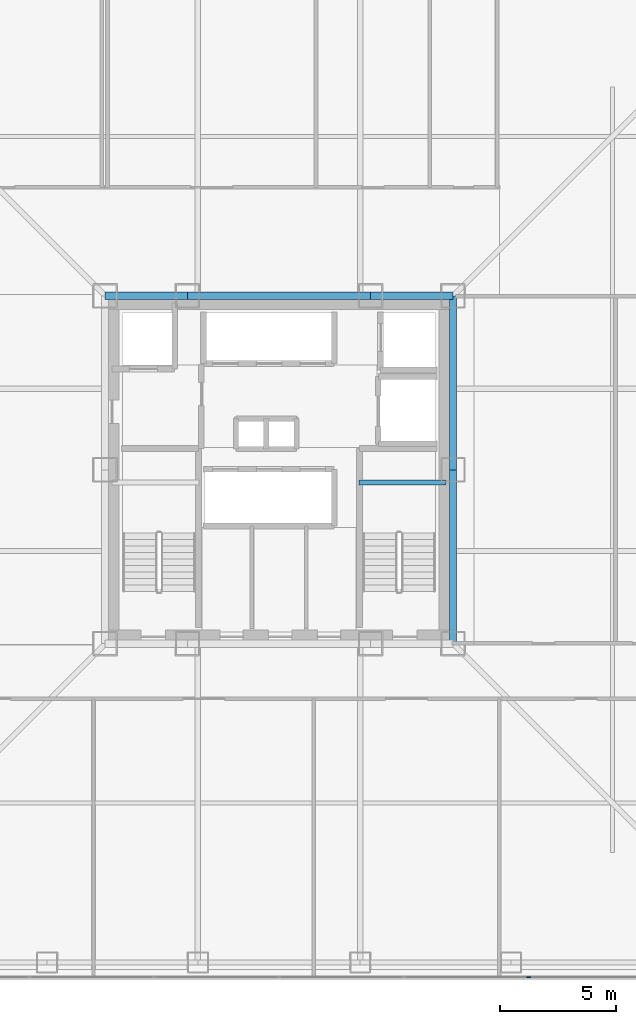
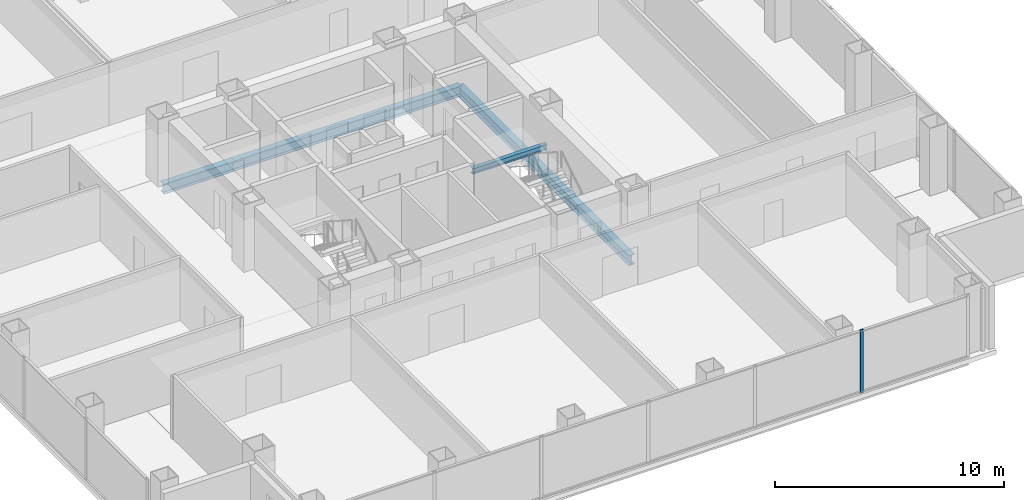
# One storey, part 6 of 17: 6 beams, 1 member, 1 element without a shape of its own.
"""IFC4 building model written with IfcOpenShell, lengths in metres."""

from ifc_helpers import new_model, si_unit, direction, frame, origin, origin_2d, place, context, subcontext, project, spatial, rectangle, i_section, extrude, material, layer, layer_set, material_profile, profile_set, type_object, element, aggregate, save


model = new_model("IFC4")

# Units and contexts
model_context = context("Model", 3, precision=1e-05, world=origin(), true_north=direction((0.0, 1.0)))
body_context = subcontext(model_context, "Body", "Model", "MODEL_VIEW")
ifc_project = project(units=[si_unit("LENGTHUNIT", "METRE"), si_unit("AREAUNIT", "SQUARE_METRE"), si_unit("VOLUMEUNIT", "CUBIC_METRE"), si_unit("PLANEANGLEUNIT", "RADIAN"), si_unit("MASSUNIT", "GRAM", prefix="KILO")], contexts=[model_context])

# Site, building, storey
site_placement = place(None, origin())
site = spatial("IfcSite", under=ifc_project, at=site_placement, CompositionType="ELEMENT")
building_placement = place(site_placement, origin())
building = spatial("IfcBuilding", under=site, at=building_placement, Name="Trevonay Congress Spire", CompositionType="ELEMENT")
storey_placement = place(building_placement, frame((0.0, 0.0, 130.0)))
storey = spatial("IfcBuildingStorey", under=building, at=storey_placement, Name="L33", CompositionType="ELEMENT", Elevation=130.0)

# Beams
ifc_material_1 = material(Name="Steel ASTM A572 Grade 50", Category="steel")
ifc_material_profile_1 = material_profile(ifc_material_1, i_section(OverallWidth=0.31201171875, OverallDepth=0.54296875, WebThickness=0.0126953125, FlangeThickness=0.020263671875, FilletRadius=0.014892578125, at=origin_2d()), Name="W530x150")
ifc_profile_set_1 = profile_set([ifc_material_profile_1], Name="Steel ASTM A572 Grade 50")
beam_type_1 = type_object("IfcBeamType", Name="BM-GIRD-W530X150", PredefinedType="BEAM", material=ifc_profile_set_1)
beam_1_placement = place(storey_placement, frame((-7.5, 7.5, -0.511474609375), z_axis=(1.0, 0.0, 0.0), x_axis=(0.0, 1.0, 0.0)))
element("IfcBeam", 1, at=beam_1_placement, inside=storey, type_object=beam_type_1, Name="L33 structural beam BM-L33-CR-N1", PredefinedType="BEAM", context=body_context, shape_type="SweptSolid", body=[
    extrude(i_section(OverallWidth=0.31201171875, OverallDepth=0.54296875, WebThickness=0.0126953125, FlangeThickness=0.020263671875, FilletRadius=0.014892578125, at=origin_2d()), origin(), (0.0, 0.0, 1.0), 3.550048828125),
])
beam_2_placement = place(storey_placement, frame((-3.949951171875, 7.5, -0.511474609375), z_axis=(1.0, 0.0, 0.0), x_axis=(0.0, 1.0, 0.0)))
element("IfcBeam", 2, at=beam_2_placement, inside=storey, type_object=beam_type_1, Name="L33 structural beam BM-L33-CR-N2", PredefinedType="BEAM", context=body_context, shape_type="SweptSolid", body=[
    extrude(i_section(OverallWidth=0.31201171875, OverallDepth=0.54296875, WebThickness=0.0126953125, FlangeThickness=0.020263671875, FilletRadius=0.014892578125, at=origin_2d()), origin(), (0.0, 0.0, 1.0), 7.89990234375),
])
beam_3_placement = place(storey_placement, frame((3.949951171875, 7.5, -0.511474609375), z_axis=(1.0, 0.0, 0.0), x_axis=(0.0, 1.0, 0.0)))
element("IfcBeam", 3, at=beam_3_placement, inside=storey, type_object=beam_type_1, Name="L33 structural beam BM-L33-CR-N3", PredefinedType="BEAM", context=body_context, shape_type="SweptSolid", body=[
    extrude(i_section(OverallWidth=0.31201171875, OverallDepth=0.54296875, WebThickness=0.0126953125, FlangeThickness=0.020263671875, FilletRadius=0.014892578125, at=origin_2d()), origin(), (0.0, 0.0, 1.0), 3.550048828125),
])
for number, where, z_axis, x_axis, name in (
    (4, (7.5, -7.5, -0.511474609375), (0.0, 1.0, 0.0), (-1.0, 0.0, 0.0), "L33 structural beam BM-L33-CR-E1"),
    (5, (7.5, 0.0, -0.511474609375), (0.0, 1.0, 0.0), (-1.0, 0.0, 0.0), "L33 structural beam BM-L33-CR-E2"),
):
    element("IfcBeam", number, at=place(storey_placement, frame(where, z_axis=z_axis, x_axis=x_axis)), inside=storey, type_object=beam_type_1, Name=name, PredefinedType="BEAM", context=body_context, shape_type="SweptSolid", body=[
        extrude(i_section(OverallWidth=0.31201171875, OverallDepth=0.54296875, WebThickness=0.0126953125, FlangeThickness=0.020263671875, FilletRadius=0.014892578125, at=origin_2d()), origin(), (0.0, 0.0, 1.0), 7.5),
    ])

# Curtain wall, member
ifc_material_2 = material(Name="Pale Anodised Aluminium EN AW-6063-T6", Category="aluminium")
ifc_layer = layer(ifc_material_2, 0.175048828125, Name="Pale Anodised Aluminium EN AW-6063-T6")
ifc_layer_set = layer_set([ifc_layer], Name="Pale Anodised Aluminium EN AW-6063-T6")
curtain_wall_type = type_object("IfcCurtainWallType", Name="CW-SYS03-CONGRESS-PALE-METAL", PredefinedType="NOTDEFINED", material=ifc_layer_set)
curtain_wall_placement = place(storey_placement, origin())
curtain_wall = element("IfcCurtainWall", 6, at=curtain_wall_placement, inside=storey, type_object=curtain_wall_type, Name="L33 S unitised curtain wall", PredefinedType="NOTDEFINED")
ifc_material_profile_2 = material_profile(ifc_material_2, rectangle(XDim=0.06005859375, YDim=0.159912109375, at=origin_2d()), Name="CW-MULLION-160-ALUMINIUM")
ifc_profile_set_2 = profile_set([ifc_material_profile_2], Name="Pale Anodised Aluminium EN AW-6063-T6")
member_type = type_object("IfcMemberType", Name="CW-MULLION-160-ALUMINIUM", PredefinedType="MULLION", material=ifc_profile_set_2)
member_placement = place(storey_placement, frame((10.7666015625, -21.8798828125, 0.0), z_axis=(0.0, 0.0, 1.0), x_axis=(0.0, 1.0, 0.0)))
member = element("IfcMember", 7, at=member_placement, type_object=member_type, Name="CW03 mullion 6", PredefinedType="MULLION", context=body_context, shape_type="SweptSolid", body=[
    extrude(rectangle(XDim=0.06005859375, YDim=0.159912109375, at=origin_2d()), origin(), (0.0, 0.0, 1.0), 3.360107421875),
])
aggregate(curtain_wall, [member])

# Beam
ifc_material_profile_3 = material_profile(ifc_material_1, i_section(OverallWidth=0.2041015625, OverallDepth=0.305908203125, WebThickness=0.008544921875, FlangeThickness=0.0146484375, FilletRadius=0.010986328125, at=origin_2d()), Name="W310x67")
ifc_profile_set_3 = profile_set([ifc_material_profile_3], Name="Steel ASTM A572 Grade 50")
beam_type_2 = type_object("IfcBeamType", Name="LN-CORE-W310X67", PredefinedType="LINTEL", material=ifc_profile_set_3)
beam_4_placement = place(storey_placement, frame((3.449951171875, -0.550048828125, 1.447021484375), z_axis=(1.0, 0.0, 0.0), x_axis=(0.0, 1.0, 0.0)))
element("IfcBeam", 8, at=beam_4_placement, inside=storey, type_object=beam_type_2, Name="L33 structural beam BM-L33-HL-ST2", PredefinedType="LINTEL", context=body_context, shape_type="SweptSolid", body=[
    extrude(i_section(OverallWidth=0.2041015625, OverallDepth=0.305908203125, WebThickness=0.008544921875, FlangeThickness=0.0146484375, FilletRadius=0.010986328125, at=origin_2d()), origin(), (0.0, 0.0, 1.0), 3.75),
])

save(model, "model.ifc")
